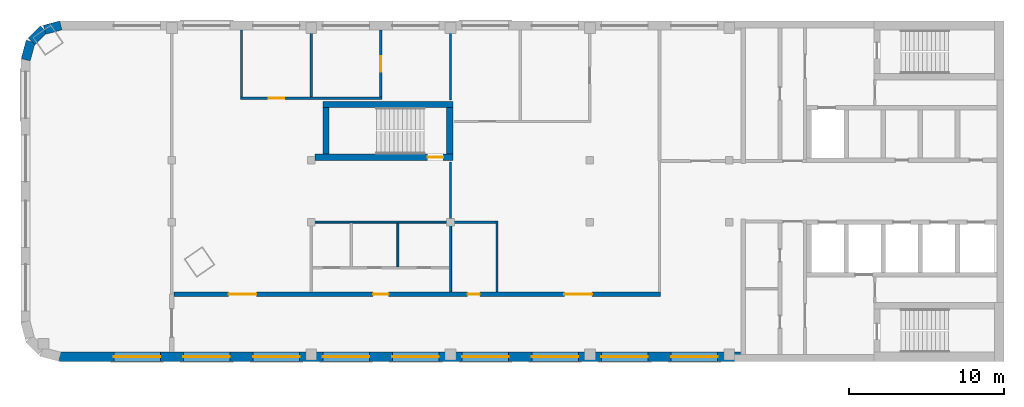
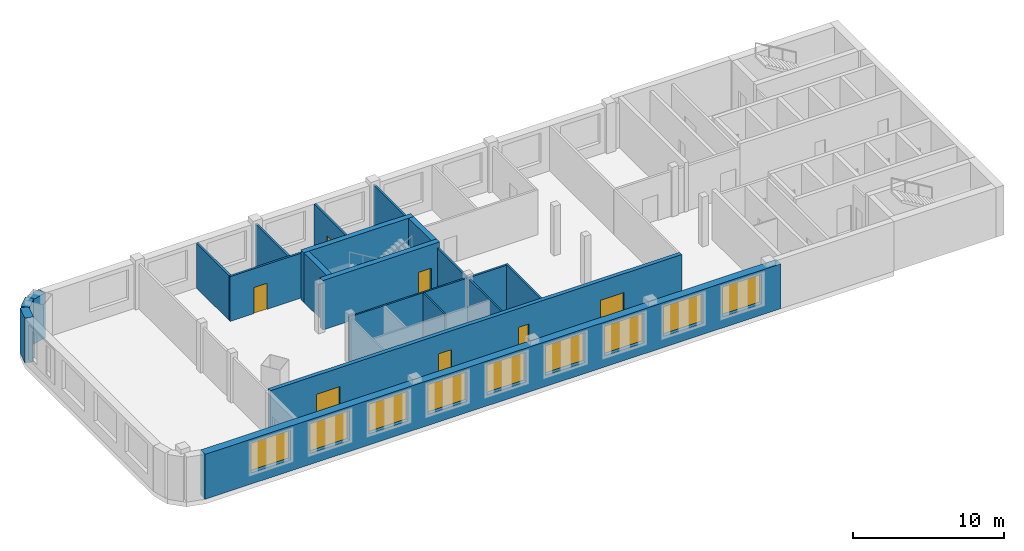
# One storey, part 2 of 5: 20 walls, 9 windows, 7 doors, 16 openings.
"""IFC4 building model written with IfcOpenShell, lengths in metres."""

from ifc_helpers import new_model, si_unit, direction, frame, frame_2d, origin, place, context, subcontext, project, spatial, rectangle, extrude, material, layer, layer_set, type_object, element, fill, save


model = new_model("IFC4")

# Units and contexts
model_context = context("Model", 3, precision=1e-05, world=origin(), true_north=direction((0.0, 1.0)))
body_context = subcontext(model_context, "Body", "Model", "MODEL_VIEW")
ifc_project = project(units=[si_unit("LENGTHUNIT", "METRE"), si_unit("AREAUNIT", "SQUARE_METRE"), si_unit("VOLUMEUNIT", "CUBIC_METRE"), si_unit("PLANEANGLEUNIT", "RADIAN"), si_unit("MASSUNIT", "GRAM", prefix="KILO")], contexts=[model_context])

# Site, building, storey
site_placement = place(None, origin())
site = spatial("IfcSite", under=ifc_project, at=site_placement, CompositionType="ELEMENT")
building_placement = place(site_placement, origin())
building = spatial("IfcBuilding", under=site, at=building_placement, Name="Skarvind Civic Tower", CompositionType="ELEMENT")
storey_placement = place(building_placement, frame((0.0, 0.0, 257.5)))
storey = spatial("IfcBuildingStorey", under=building, at=storey_placement, Name="L61", CompositionType="ELEMENT", Elevation=257.5)

# Wall, openings, doors
ifc_material_1 = material(Name="Fire-rated gypsum board on steel studs", Category="steel")
ifc_layer_1 = layer(ifc_material_1, 0.300048828125)
ifc_layer_set_1 = layer_set([ifc_layer_1], Name="CORRIDOR WALL 300")
wall_type_1 = type_object("IfcWallType", Name="CORRIDOR WALL 300", PredefinedType="PARTITIONING", material=ifc_layer_set_1)
wall_1_placement = place(storey_placement, frame((54.39990234375, 121.35009765625, 0.0), z_axis=(0.0, 0.0, 1.0), x_axis=(1.0, 0.0, 0.0)))
wall_1 = element("IfcWall", 1, at=wall_1_placement, inside=storey, type_object=wall_type_1, Name="Partition 61.002", PredefinedType="PARTITIONING", context=body_context, shape_type="SweptSolid", body=[
    extrude(rectangle(XDim=31.425048828125, YDim=0.300048828125, at=frame_2d((15.71240234375, 0.0))), origin(), (0.0, 0.0, 1.0), 3.625),
])
opening_1_placement = place(wall_1_placement, frame((18.949951171875, 0.0, 0.0)))
opening_1 = element("IfcOpeningElement", 2, at=opening_1_placement, cuts=wall_1, Name="Opening L61-D002", PredefinedType="OPENING", context=body_context, shape_type="SweptSolid", body=[
    extrude(rectangle(XDim=0.800048828125, YDim=2.10009765625, at=frame_2d((0.39990234375, 1.050048828125))), frame((0.0, 0.159912109375, 0.0), z_axis=(0.0, -1.0, 0.0), x_axis=(1.0, 0.0, 0.0)), (0.0, 0.0, 1.0), 0.320068359375),
])
opening_2_placement = place(wall_1_placement, frame((25.199951171875, 0.0, 0.0)))
opening_2 = element("IfcOpeningElement", 3, at=opening_2_placement, cuts=wall_1, Name="Opening L61-D005", PredefinedType="OPENING", context=body_context, shape_type="SweptSolid", body=[
    extrude(rectangle(XDim=1.800048828125, YDim=2.10009765625, at=frame_2d((0.89990234375, 1.050048828125))), frame((0.0, 0.159912109375, 0.0), z_axis=(0.0, -1.0, 0.0), x_axis=(1.0, 0.0, 0.0)), (0.0, 0.0, 1.0), 0.320068359375),
])
opening_3_placement = place(wall_1_placement, frame((12.85009765625, 0.0, 0.0)))
opening_3 = element("IfcOpeningElement", 4, at=opening_3_placement, cuts=wall_1, Name="Opening L61-D006", PredefinedType="OPENING", context=body_context, shape_type="SweptSolid", body=[
    extrude(rectangle(XDim=1.0, YDim=2.10009765625, at=frame_2d((0.5, 1.050048828125))), frame((0.0, 0.159912109375, 0.0), z_axis=(0.0, -1.0, 0.0), x_axis=(1.0, 0.0, 0.0)), (0.0, 0.0, 1.0), 0.320068359375),
])
opening_4_placement = place(wall_1_placement, frame((3.514892578125, 0.0, 0.0)))
opening_4 = element("IfcOpeningElement", 5, at=opening_4_placement, cuts=wall_1, Name="Opening L61-D012", PredefinedType="OPENING", context=body_context, shape_type="SweptSolid", body=[
    extrude(rectangle(XDim=1.800048828125, YDim=2.10009765625, at=frame_2d((0.89990234375, 1.050048828125))), frame((0.0, 0.159912109375, 0.0), z_axis=(0.0, -1.0, 0.0), x_axis=(1.0, 0.0, 0.0)), (0.0, 0.0, 1.0), 0.320068359375),
])
ifc_material_2 = material(Name="Fire-rated timber door leaf", Category="wood")
door_type_1 = type_object("IfcDoorType", Name="FD1 1000x2100", OperationType="NOTDEFINED", PredefinedType="DOOR", material=ifc_material_2)
door_1_placement = place(opening_3_placement, origin())
door_1 = element("IfcDoor", 6, at=door_1_placement, inside=storey, type_object=door_type_1, Name="Door L61-D006", OperationType="SINGLE_SWING_LEFT", OverallHeight=2.10009765625, OverallWidth=1.0, PredefinedType="DOOR", context=body_context, shape_type="SweptSolid", body=[
    extrude(rectangle(XDim=1.0, YDim=2.10009765625, at=frame_2d((0.5, 1.050048828125))), frame((0.0, 0.02490234375, 0.0), z_axis=(0.0, -1.0, 0.0), x_axis=(1.0, 0.0, 0.0)), (0.0, 0.0, 1.0), 0.050048828125),
])
fill(opening_3, door_1)
door_type_2 = type_object("IfcDoorType", Name="FD4 1800x2100", OperationType="NOTDEFINED", PredefinedType="DOOR", material=ifc_material_2)
door_2_placement = place(opening_2_placement, origin())
door_2 = element("IfcDoor", 7, at=door_2_placement, inside=storey, type_object=door_type_2, Name="Door L61-D005", OperationType="DOUBLE_DOOR_SINGLE_SWING", OverallHeight=2.10009765625, OverallWidth=1.800048828125, PredefinedType="DOOR", context=body_context, shape_type="SweptSolid", body=[
    extrude(rectangle(XDim=1.800048828125, YDim=2.10009765625, at=frame_2d((0.89990234375, 1.050048828125))), frame((0.0, 0.02490234375, 0.0), z_axis=(0.0, -1.0, 0.0), x_axis=(1.0, 0.0, 0.0)), (0.0, 0.0, 1.0), 0.050048828125),
])
fill(opening_2, door_2)
door_3_placement = place(opening_4_placement, origin())
door_3 = element("IfcDoor", 8, at=door_3_placement, inside=storey, type_object=door_type_2, Name="Door L61-D012", OperationType="DOUBLE_DOOR_SINGLE_SWING", OverallHeight=2.10009765625, OverallWidth=1.800048828125, PredefinedType="DOOR", context=body_context, shape_type="SweptSolid", body=[
    extrude(rectangle(XDim=1.800048828125, YDim=2.10009765625, at=frame_2d((0.89990234375, 1.050048828125))), frame((0.0, 0.02490234375, 0.0), z_axis=(0.0, -1.0, 0.0), x_axis=(1.0, 0.0, 0.0)), (0.0, 0.0, 1.0), 0.050048828125),
])
fill(opening_4, door_3)
door_type_3 = type_object("IfcDoorType", Name="FD5 800x2100", OperationType="NOTDEFINED", PredefinedType="DOOR", material=ifc_material_2)
door_4_placement = place(opening_1_placement, origin())
door_4 = element("IfcDoor", 9, at=door_4_placement, inside=storey, type_object=door_type_3, Name="Door L61-D002", OperationType="SINGLE_SWING_LEFT", OverallHeight=2.10009765625, OverallWidth=0.800048828125, PredefinedType="DOOR", context=body_context, shape_type="SweptSolid", body=[
    extrude(rectangle(XDim=0.800048828125, YDim=2.10009765625, at=frame_2d((0.39990234375, 1.050048828125))), frame((0.0, 0.02490234375, 0.0), z_axis=(0.0, -1.0, 0.0), x_axis=(1.0, 0.0, 0.0)), (0.0, 0.0, 1.0), 0.050048828125),
])
fill(opening_1, door_4)

# Wall, opening, door
ifc_material_3 = material(Name="Concrete C60", Category="concrete")
ifc_layer_2 = layer(ifc_material_3, 0.39990234375)
ifc_layer_set_2 = layer_set([ifc_layer_2], Name="Core wall 400 C60")
wall_type_2 = type_object("IfcWallType", Name="Core wall 400 C60", PredefinedType="SHEAR", material=ifc_layer_set_2)
wall_2_placement = place(storey_placement, frame((63.5, 130.199951171875, 0.0), z_axis=(0.0, 0.0, 1.0), x_axis=(1.0, 0.0, 0.0)))
wall_2 = element("IfcWall", 10, at=wall_2_placement, inside=storey, type_object=wall_type_2, Name="Core wall CM inner L61", PredefinedType="SHEAR", context=body_context, shape_type="SweptSolid", body=[
    extrude(rectangle(XDim=8.89990234375, YDim=0.39990234375, at=frame_2d((4.449951171875, 0.0))), origin(), (0.0, 0.0, 1.0), 4.0),
])
opening_5_placement = place(wall_2_placement, frame((7.27490234375, 0.0, 0.0)))
opening_5 = element("IfcOpeningElement", 11, at=opening_5_placement, cuts=wall_2, Name="Opening D-L61-CM-01", PredefinedType="OPENING", context=body_context, shape_type="SweptSolid", body=[
    extrude(rectangle(XDim=1.0, YDim=2.10009765625, at=frame_2d((0.5, 1.050048828125))), frame((0.0, 0.2099609375, 0.0), z_axis=(0.0, -1.0, 0.0), x_axis=(1.0, 0.0, 0.0)), (0.0, 0.0, 1.0), 0.419921875),
])
ifc_material_4 = material(Name="Fire-rated steel door", Category="steel")
door_type_4 = type_object("IfcDoorType", Name="Fire door 1000", OperationType="NOTDEFINED", PredefinedType="DOOR", material=ifc_material_4)
door_5_placement = place(opening_5_placement, origin())
door_5 = element("IfcDoor", 12, at=door_5_placement, inside=storey, type_object=door_type_4, Name="Fire door", OperationType="SINGLE_SWING_LEFT", OverallHeight=2.10009765625, OverallWidth=1.0, PredefinedType="DOOR", context=body_context, shape_type="SweptSolid", body=[
    extrude(rectangle(XDim=1.0, YDim=2.10009765625, at=frame_2d((0.5, 1.050048828125))), frame((0.0, 0.02490234375, 0.0), z_axis=(0.0, -1.0, 0.0), x_axis=(1.0, 0.0, 0.0)), (0.0, 0.0, 1.0), 0.050048828125),
])
fill(opening_5, door_5)

# Walls
wall_3_placement = place(storey_placement, frame((64.0, 133.60009765625, 0.0), z_axis=(0.0, 0.0, 1.0), x_axis=(1.0, 0.0, 0.0)))
element("IfcWall", 13, at=wall_3_placement, inside=storey, type_object=wall_type_2, Name="Core wall CM outer L61", PredefinedType="SHEAR", context=body_context, shape_type="SweptSolid", body=[
    extrude(rectangle(XDim=8.39990234375, YDim=0.39990234375, at=frame_2d((4.199951171875, 0.0))), origin(), (0.0, 0.0, 1.0), 4.0),
])
for number, where, z_axis, x_axis, name in (
    (14, (64.199951171875, 130.39990234375, 0.0), (0.0, 0.0, 1.0), (0.0, 1.0, 0.0), "Core wall CM west L61"),
    (15, (72.199951171875, 130.39990234375, 0.0), (0.0, 0.0, 1.0), (0.0, 1.0, 0.0), "Core wall CM end L61"),
):
    element("IfcWall", number, at=place(storey_placement, frame(where, z_axis=z_axis, x_axis=x_axis)), inside=storey, type_object=wall_type_2, Name=name, PredefinedType="SHEAR", context=body_context, shape_type="SweptSolid", body=[
        extrude(rectangle(XDim=3.0, YDim=0.39990234375, at=frame_2d((1.5, 0.0))), origin(), (0.0, 0.0, 1.0), 4.0),
    ])
ifc_material_5 = material(Name="Plasterboard partition on steel studs", Category="steel")
ifc_layer_3 = layer(ifc_material_5, 0.14990234375)
ifc_layer_set_3 = layer_set([ifc_layer_3], Name="PARTITION 150")
wall_type_3 = type_object("IfcWallType", Name="PARTITION 150", PredefinedType="PARTITIONING", material=ifc_layer_set_3)
wall_4_placement = place(storey_placement, frame((58.75, 134.074951171875, 0.0), z_axis=(0.0, 0.0, 1.0), x_axis=(0.0, 1.0, 0.0)))
element("IfcWall", 16, at=wall_4_placement, inside=storey, type_object=wall_type_3, Name="Partition 61.004", PredefinedType="PARTITIONING", context=body_context, shape_type="SweptSolid", body=[
    extrude(rectangle(XDim=4.324951171875, YDim=0.14990234375, at=frame_2d((2.16259765625, 0.0))), origin(), (0.0, 0.0, 1.0), 3.625),
])

# Wall, opening, door
wall_5_placement = place(storey_placement, frame((67.824951171875, 134.0, 0.0), z_axis=(0.0, 0.0, 1.0), x_axis=(-1.0, 0.0, 0.0)))
wall_5 = element("IfcWall", 17, at=wall_5_placement, inside=storey, type_object=wall_type_3, Name="Partition 61.005", PredefinedType="PARTITIONING", context=body_context, shape_type="SweptSolid", body=[
    extrude(rectangle(XDim=9.14990234375, YDim=0.14990234375, at=frame_2d((4.574951171875, 0.0))), origin(), (0.0, 0.0, 1.0), 3.625),
])
opening_6_placement = place(wall_5_placement, frame((6.324951171875, 0.0, 0.0)))
opening_6 = element("IfcOpeningElement", 18, at=opening_6_placement, cuts=wall_5, Name="Opening L61-D011", PredefinedType="OPENING", context=body_context, shape_type="SweptSolid", body=[
    extrude(rectangle(XDim=1.0, YDim=2.10009765625, at=frame_2d((0.5, 1.050048828125))), frame((0.0, 0.0849609375, 0.0), z_axis=(0.0, -1.0, 0.0), x_axis=(1.0, 0.0, 0.0)), (0.0, 0.0, 1.0), 0.169921875),
])
ifc_material_6 = material(Name="Timber door leaf", Category="wood")
door_type_5 = type_object("IfcDoorType", Name="D1 1000x2100", OperationType="NOTDEFINED", PredefinedType="DOOR", material=ifc_material_6)
door_6_placement = place(opening_6_placement, origin())
door_6 = element("IfcDoor", 19, at=door_6_placement, inside=storey, type_object=door_type_5, Name="Door L61-D011", OperationType="SINGLE_SWING_RIGHT", OverallHeight=2.10009765625, OverallWidth=1.0, PredefinedType="DOOR", context=body_context, shape_type="SweptSolid", body=[
    extrude(rectangle(XDim=1.0, YDim=2.10009765625, at=frame_2d((0.5, 1.050048828125))), frame((0.0, 0.02490234375, 0.0), z_axis=(0.0, -1.0, 0.0), x_axis=(1.0, 0.0, 0.0)), (0.0, 0.0, 1.0), 0.050048828125),
])
fill(opening_6, door_6)

# Wall
wall_6_placement = place(storey_placement, frame((63.25, 134.074951171875, 0.0), z_axis=(0.0, 0.0, 1.0), x_axis=(0.0, 1.0, 0.0)))
element("IfcWall", 20, at=wall_6_placement, inside=storey, type_object=wall_type_3, Name="Partition 61.009", PredefinedType="PARTITIONING", context=body_context, shape_type="SweptSolid", body=[
    extrude(rectangle(XDim=4.324951171875, YDim=0.14990234375, at=frame_2d((2.16259765625, 0.0))), origin(), (0.0, 0.0, 1.0), 3.625),
])

# Wall, opening, door
wall_7_placement = place(storey_placement, frame((67.75, 138.39990234375, 0.0), z_axis=(0.0, 0.0, 1.0), x_axis=(0.0, -1.0, 0.0)))
wall_7 = element("IfcWall", 21, at=wall_7_placement, inside=storey, type_object=wall_type_3, Name="Partition 61.011", PredefinedType="PARTITIONING", context=body_context, shape_type="SweptSolid", body=[
    extrude(rectangle(XDim=4.324951171875, YDim=0.14990234375, at=frame_2d((2.16259765625, 0.0))), origin(), (0.0, 0.0, 1.0), 3.625),
])
opening_7_placement = place(wall_7_placement, frame((1.672607421875, 0.0, 0.0)))
opening_7 = element("IfcOpeningElement", 22, at=opening_7_placement, cuts=wall_7, Name="Opening L61-D010", PredefinedType="OPENING", context=body_context, shape_type="SweptSolid", body=[
    extrude(rectangle(XDim=1.0, YDim=2.10009765625, at=frame_2d((0.5, 1.050048828125))), frame((0.0, 0.0849609375, 0.0), z_axis=(0.0, -1.0, 0.0), x_axis=(1.0, 0.0, 0.0)), (0.0, 0.0, 1.0), 0.169921875),
])
door_7_placement = place(opening_7_placement, origin())
door_7 = element("IfcDoor", 23, at=door_7_placement, inside=storey, type_object=door_type_5, Name="Door L61-D010", OperationType="SINGLE_SWING_LEFT", OverallHeight=2.10009765625, OverallWidth=1.0, PredefinedType="DOOR", context=body_context, shape_type="SweptSolid", body=[
    extrude(rectangle(XDim=1.0, YDim=2.10009765625, at=frame_2d((0.5, 1.050048828125))), frame((0.0, 0.02490234375, 0.0), z_axis=(0.0, -1.0, 0.0), x_axis=(1.0, 0.0, 0.0)), (0.0, 0.0, 1.0), 0.050048828125),
])
fill(opening_7, door_7)

# Walls
wall_8_placement = place(storey_placement, frame((72.25, 126.0, 0.0), z_axis=(0.0, 0.0, 1.0), x_axis=(0.0, 1.0, 0.0)))
element("IfcWall", 24, at=wall_8_placement, inside=storey, type_object=wall_type_3, Name="Partition 61.014", PredefinedType="PARTITIONING", context=body_context, shape_type="SweptSolid", body=[
    extrude(rectangle(XDim=3.89990234375, YDim=0.14990234375, at=frame_2d((1.949951171875, 0.0))), origin(), (0.0, 0.0, 1.0), 3.625),
])
wall_9_placement = place(storey_placement, frame((72.25, 133.89990234375, 0.0), z_axis=(0.0, 0.0, 1.0), x_axis=(0.0, 1.0, 0.0)))
element("IfcWall", 25, at=wall_9_placement, inside=storey, type_object=wall_type_3, Name="Partition 61.015", PredefinedType="PARTITIONING", context=body_context, shape_type="SweptSolid", body=[
    extrude(rectangle(XDim=4.5, YDim=0.14990234375, at=frame_2d((2.25, 0.0))), origin(), (0.0, 0.0, 1.0), 3.625),
])
wall_10_placement = place(storey_placement, frame((75.25, 121.5, 0.0), z_axis=(0.0, 0.0, 1.0), x_axis=(0.0, 1.0, 0.0)))
element("IfcWall", 26, at=wall_10_placement, inside=storey, type_object=wall_type_3, Name="Partition 61.017", PredefinedType="PARTITIONING", context=body_context, shape_type="SweptSolid", body=[
    extrude(rectangle(XDim=4.574951171875, YDim=0.14990234375, at=frame_2d((2.28759765625, 0.0))), origin(), (0.0, 0.0, 1.0), 3.625),
])
wall_11_placement = place(storey_placement, frame((75.175048828125, 126.0, 0.0), z_axis=(0.0, 0.0, 1.0), x_axis=(-1.0, 0.0, 0.0)))
element("IfcWall", 27, at=wall_11_placement, inside=storey, type_object=wall_type_3, Name="Partition 61.018", PredefinedType="PARTITIONING", context=body_context, shape_type="SweptSolid", body=[
    extrude(rectangle(XDim=2.925048828125, YDim=0.14990234375, at=frame_2d((1.46240234375, 0.0))), origin(), (0.0, 0.0, 1.0), 3.625),
])
ifc_material_7 = material(Name="Moisture-resistant gypsum board on steel studs", Category="steel")
ifc_layer_4 = layer(ifc_material_7, 0.125)
ifc_layer_set_4 = layer_set([ifc_layer_4], Name="WC PARTITION 125")
wall_type_4 = type_object("IfcWallType", Name="WC PARTITION 125", PredefinedType="PARTITIONING", material=ifc_layer_set_4)
wall_12_placement = place(storey_placement, frame((63.18798828125, 126.0, 0.0), z_axis=(0.0, 0.0, 1.0), x_axis=(1.0, 0.0, 0.0)))
element("IfcWall", 28, at=wall_12_placement, inside=storey, type_object=wall_type_4, Name="Partition 61.008", PredefinedType="PARTITIONING", context=body_context, shape_type="SweptSolid", body=[
    extrude(rectangle(XDim=9.06201171875, YDim=0.125, at=frame_2d((4.531005859375, 0.0))), origin(), (0.0, 0.0, 1.0), 3.625),
])
wall_13_placement = place(storey_placement, frame((68.85009765625, 125.93798828125, 0.0), z_axis=(0.0, 0.0, 1.0), x_axis=(0.0, -1.0, 0.0)))
element("IfcWall", 29, at=wall_13_placement, inside=storey, type_object=wall_type_4, Name="Partition 61.012", PredefinedType="PARTITIONING", context=body_context, shape_type="SweptSolid", body=[
    extrude(rectangle(XDim=2.825927734375, YDim=0.125, at=frame_2d((1.4130859375, 0.0))), origin(), (0.0, 0.0, 1.0), 3.625),
])
wall_14_placement = place(storey_placement, frame((72.25, 126.0, 0.0), z_axis=(0.0, 0.0, 1.0), x_axis=(0.0, -1.0, 0.0)))
element("IfcWall", 30, at=wall_14_placement, inside=storey, type_object=wall_type_4, Name="Partition 61.013", PredefinedType="PARTITIONING", context=body_context, shape_type="SweptSolid", body=[
    extrude(rectangle(XDim=4.5, YDim=0.125, at=frame_2d((2.25, 0.0))), origin(), (0.0, 0.0, 1.0), 3.625),
])
ifc_material_8 = material(Name="Standing-seam zinc cladding on insulated backing")
ifc_layer_5 = layer(ifc_material_8, 0.60009765625)
ifc_layer_set_5 = layer_set([ifc_layer_5], Name="WX2 ZINC-CLAD FACADE WALL 600")
wall_type_5 = type_object("IfcWallType", Name="WX2 ZINC-CLAD FACADE WALL 600", PredefinedType="SOLIDWALL", material=ifc_layer_set_5)
wall_15_placement = place(storey_placement, frame((46.030517578125, 138.4296875, 0.0), z_axis=(0.0, 0.0, 1.0), x_axis=(0.965939004864, 0.25876985698, 0.0)))
element("IfcWall", 31, at=wall_15_placement, inside=storey, type_object=wall_type_5, Name="ZINC-CLAD FACADE WALL", PredefinedType="SOLIDWALL", context=body_context, shape_type="SweptSolid", body=[
    extrude(rectangle(XDim=1.083984375, YDim=0.60009765625, at=frame_2d((0.5419921875, 0.0))), origin(), (0.0, 0.0, 1.0), 3.625),
])
wall_16_placement = place(storey_placement, frame((45.195556640625, 137.686279296875, 0.0), z_axis=(0.0, 0.0, 1.0), x_axis=(0.707106781187, 0.707106781187, 0.0)))
element("IfcWall", 32, at=wall_16_placement, inside=storey, type_object=wall_type_5, Name="ZINC-CLAD FACADE WALL", PredefinedType="SOLIDWALL", context=body_context, shape_type="SweptSolid", body=[
    extrude(rectangle(XDim=1.084228515625, YDim=0.60009765625, at=frame_2d((0.5419921875, 0.0))), origin(), (0.0, 0.0, 1.0), 3.625),
])
wall_17_placement = place(storey_placement, frame((44.807861328125, 136.489990234375, 0.0), z_axis=(0.0, 0.0, 1.0), x_axis=(0.258878975098, 0.965909766102, 0.0)))
element("IfcWall", 33, at=wall_17_placement, inside=storey, type_object=wall_type_5, Name="ZINC-CLAD FACADE WALL", PredefinedType="SOLIDWALL", context=body_context, shape_type="SweptSolid", body=[
    extrude(rectangle(XDim=1.22412109375, YDim=0.60009765625, at=frame_2d((0.612060546875, 0.0))), origin(), (0.0, 0.0, 1.0), 3.625),
])

# Wall, openings, windows
wall_18_placement = place(storey_placement, frame((90.97998046875, 117.300048828125, 0.0), z_axis=(0.0, 0.0, 1.0), x_axis=(-1.0, 0.0, 0.0)))
wall_18 = element("IfcWall", 34, at=wall_18_placement, inside=storey, type_object=wall_type_5, Name="ZINC-CLAD FACADE WALL", PredefinedType="SOLIDWALL", context=body_context, shape_type="SweptSolid", body=[
    extrude(rectangle(XDim=43.97998046875, YDim=0.60009765625, at=frame_2d((21.989990234375, 0.0))), origin(), (0.0, 0.0, 1.0), 3.625),
])
opening_8_placement = place(wall_18_placement, frame((1.47998046875, 0.0, 0.89990234375)))
opening_8 = element("IfcOpeningElement", 35, at=opening_8_placement, cuts=wall_18, Name="Opening WN4", PredefinedType="OPENING", context=body_context, shape_type="SweptSolid", body=[
    extrude(rectangle(XDim=3.0, YDim=2.39990234375, at=frame_2d((1.5, 1.199951171875))), frame((0.0, 0.31005859375, 0.0), z_axis=(0.0, -1.0, 0.0), x_axis=(1.0, 0.0, 0.0)), (0.0, 0.0, 1.0), 0.6201171875),
])
opening_9_placement = place(wall_18_placement, frame((5.97998046875, 0.0, 0.89990234375)))
opening_9 = element("IfcOpeningElement", 36, at=opening_9_placement, cuts=wall_18, Name="Opening WN4", PredefinedType="OPENING", context=body_context, shape_type="SweptSolid", body=[
    extrude(rectangle(XDim=3.0, YDim=2.39990234375, at=frame_2d((1.5, 1.199951171875))), frame((0.0, 0.31005859375, 0.0), z_axis=(0.0, -1.0, 0.0), x_axis=(1.0, 0.0, 0.0)), (0.0, 0.0, 1.0), 0.6201171875),
])
opening_10_placement = place(wall_18_placement, frame((10.47998046875, 0.0, 0.89990234375)))
opening_10 = element("IfcOpeningElement", 37, at=opening_10_placement, cuts=wall_18, Name="Opening WN4", PredefinedType="OPENING", context=body_context, shape_type="SweptSolid", body=[
    extrude(rectangle(XDim=3.0, YDim=2.39990234375, at=frame_2d((1.5, 1.199951171875))), frame((0.0, 0.31005859375, 0.0), z_axis=(0.0, -1.0, 0.0), x_axis=(1.0, 0.0, 0.0)), (0.0, 0.0, 1.0), 0.6201171875),
])
opening_11_placement = place(wall_18_placement, frame((14.97998046875, 0.0, 0.89990234375)))
opening_11 = element("IfcOpeningElement", 38, at=opening_11_placement, cuts=wall_18, Name="Opening WN4", PredefinedType="OPENING", context=body_context, shape_type="SweptSolid", body=[
    extrude(rectangle(XDim=3.0, YDim=2.39990234375, at=frame_2d((1.5, 1.199951171875))), frame((0.0, 0.31005859375, 0.0), z_axis=(0.0, -1.0, 0.0), x_axis=(1.0, 0.0, 0.0)), (0.0, 0.0, 1.0), 0.6201171875),
])
opening_12_placement = place(wall_18_placement, frame((19.47998046875, 0.0, 0.89990234375)))
opening_12 = element("IfcOpeningElement", 39, at=opening_12_placement, cuts=wall_18, Name="Opening WN4", PredefinedType="OPENING", context=body_context, shape_type="SweptSolid", body=[
    extrude(rectangle(XDim=3.0, YDim=2.39990234375, at=frame_2d((1.5, 1.199951171875))), frame((0.0, 0.31005859375, 0.0), z_axis=(0.0, -1.0, 0.0), x_axis=(1.0, 0.0, 0.0)), (0.0, 0.0, 1.0), 0.6201171875),
])
opening_13_placement = place(wall_18_placement, frame((23.97998046875, 0.0, 0.89990234375)))
opening_13 = element("IfcOpeningElement", 40, at=opening_13_placement, cuts=wall_18, Name="Opening WN4", PredefinedType="OPENING", context=body_context, shape_type="SweptSolid", body=[
    extrude(rectangle(XDim=3.0, YDim=2.39990234375, at=frame_2d((1.5, 1.199951171875))), frame((0.0, 0.31005859375, 0.0), z_axis=(0.0, -1.0, 0.0), x_axis=(1.0, 0.0, 0.0)), (0.0, 0.0, 1.0), 0.6201171875),
])
opening_14_placement = place(wall_18_placement, frame((28.47998046875, 0.0, 0.89990234375)))
opening_14 = element("IfcOpeningElement", 41, at=opening_14_placement, cuts=wall_18, Name="Opening WN4", PredefinedType="OPENING", context=body_context, shape_type="SweptSolid", body=[
    extrude(rectangle(XDim=3.0, YDim=2.39990234375, at=frame_2d((1.5, 1.199951171875))), frame((0.0, 0.31005859375, 0.0), z_axis=(0.0, -1.0, 0.0), x_axis=(1.0, 0.0, 0.0)), (0.0, 0.0, 1.0), 0.6201171875),
])
opening_15_placement = place(wall_18_placement, frame((32.97998046875, 0.0, 0.89990234375)))
opening_15 = element("IfcOpeningElement", 42, at=opening_15_placement, cuts=wall_18, Name="Opening WN4", PredefinedType="OPENING", context=body_context, shape_type="SweptSolid", body=[
    extrude(rectangle(XDim=3.0, YDim=2.39990234375, at=frame_2d((1.5, 1.199951171875))), frame((0.0, 0.31005859375, 0.0), z_axis=(0.0, -1.0, 0.0), x_axis=(1.0, 0.0, 0.0)), (0.0, 0.0, 1.0), 0.6201171875),
])
opening_16_placement = place(wall_18_placement, frame((37.47998046875, 0.0, 0.89990234375)))
opening_16 = element("IfcOpeningElement", 43, at=opening_16_placement, cuts=wall_18, Name="Opening WN4", PredefinedType="OPENING", context=body_context, shape_type="SweptSolid", body=[
    extrude(rectangle(XDim=3.0, YDim=2.39990234375, at=frame_2d((1.5, 1.199951171875))), frame((0.0, 0.31005859375, 0.0), z_axis=(0.0, -1.0, 0.0), x_axis=(1.0, 0.0, 0.0)), (0.0, 0.0, 1.0), 0.6201171875),
])
ifc_material_9 = material(Name="Timber frame, double glazing, copper-lined reveal", Category="wood")
window_type = type_object("IfcWindowType", Name="WN4 COPPER-LINED WINDOW 3000 x 2400", PartitioningType="SINGLE_PANEL", PredefinedType="WINDOW", material=ifc_material_9)
window_1_placement = place(opening_8_placement, origin())
window_1 = element("IfcWindow", 44, at=window_1_placement, inside=storey, type_object=window_type, Name="WN4 WINDOW", OverallHeight=2.39990234375, OverallWidth=3.0, PartitioningType="SINGLE_PANEL", PredefinedType="WINDOW", context=body_context, shape_type="SweptSolid", body=[
    extrude(rectangle(XDim=3.0, YDim=2.39990234375, at=frame_2d((1.5, 1.199951171875))), frame((0.0, 0.030029296875, 0.0), z_axis=(0.0, -1.0, 0.0), x_axis=(1.0, 0.0, 0.0)), (0.0, 0.0, 1.0), 0.06005859375),
])
fill(opening_8, window_1)
window_2_placement = place(opening_9_placement, origin())
window_2 = element("IfcWindow", 45, at=window_2_placement, inside=storey, type_object=window_type, Name="WN4 WINDOW", OverallHeight=2.39990234375, OverallWidth=3.0, PartitioningType="SINGLE_PANEL", PredefinedType="WINDOW", context=body_context, shape_type="SweptSolid", body=[
    extrude(rectangle(XDim=3.0, YDim=2.39990234375, at=frame_2d((1.5, 1.199951171875))), frame((0.0, 0.030029296875, 0.0), z_axis=(0.0, -1.0, 0.0), x_axis=(1.0, 0.0, 0.0)), (0.0, 0.0, 1.0), 0.06005859375),
])
fill(opening_9, window_2)
window_3_placement = place(opening_10_placement, origin())
window_3 = element("IfcWindow", 46, at=window_3_placement, inside=storey, type_object=window_type, Name="WN4 WINDOW", OverallHeight=2.39990234375, OverallWidth=3.0, PartitioningType="SINGLE_PANEL", PredefinedType="WINDOW", context=body_context, shape_type="SweptSolid", body=[
    extrude(rectangle(XDim=3.0, YDim=2.39990234375, at=frame_2d((1.5, 1.199951171875))), frame((0.0, 0.030029296875, 0.0), z_axis=(0.0, -1.0, 0.0), x_axis=(1.0, 0.0, 0.0)), (0.0, 0.0, 1.0), 0.06005859375),
])
fill(opening_10, window_3)
window_4_placement = place(opening_11_placement, origin())
window_4 = element("IfcWindow", 47, at=window_4_placement, inside=storey, type_object=window_type, Name="WN4 WINDOW", OverallHeight=2.39990234375, OverallWidth=3.0, PartitioningType="SINGLE_PANEL", PredefinedType="WINDOW", context=body_context, shape_type="SweptSolid", body=[
    extrude(rectangle(XDim=3.0, YDim=2.39990234375, at=frame_2d((1.5, 1.199951171875))), frame((0.0, 0.030029296875, 0.0), z_axis=(0.0, -1.0, 0.0), x_axis=(1.0, 0.0, 0.0)), (0.0, 0.0, 1.0), 0.06005859375),
])
fill(opening_11, window_4)
window_5_placement = place(opening_12_placement, origin())
window_5 = element("IfcWindow", 48, at=window_5_placement, inside=storey, type_object=window_type, Name="WN4 WINDOW", OverallHeight=2.39990234375, OverallWidth=3.0, PartitioningType="SINGLE_PANEL", PredefinedType="WINDOW", context=body_context, shape_type="SweptSolid", body=[
    extrude(rectangle(XDim=3.0, YDim=2.39990234375, at=frame_2d((1.5, 1.199951171875))), frame((0.0, 0.030029296875, 0.0), z_axis=(0.0, -1.0, 0.0), x_axis=(1.0, 0.0, 0.0)), (0.0, 0.0, 1.0), 0.06005859375),
])
fill(opening_12, window_5)
window_6_placement = place(opening_13_placement, origin())
window_6 = element("IfcWindow", 49, at=window_6_placement, inside=storey, type_object=window_type, Name="WN4 WINDOW", OverallHeight=2.39990234375, OverallWidth=3.0, PartitioningType="SINGLE_PANEL", PredefinedType="WINDOW", context=body_context, shape_type="SweptSolid", body=[
    extrude(rectangle(XDim=3.0, YDim=2.39990234375, at=frame_2d((1.5, 1.199951171875))), frame((0.0, 0.030029296875, 0.0), z_axis=(0.0, -1.0, 0.0), x_axis=(1.0, 0.0, 0.0)), (0.0, 0.0, 1.0), 0.06005859375),
])
fill(opening_13, window_6)
window_7_placement = place(opening_14_placement, origin())
window_7 = element("IfcWindow", 50, at=window_7_placement, inside=storey, type_object=window_type, Name="WN4 WINDOW", OverallHeight=2.39990234375, OverallWidth=3.0, PartitioningType="SINGLE_PANEL", PredefinedType="WINDOW", context=body_context, shape_type="SweptSolid", body=[
    extrude(rectangle(XDim=3.0, YDim=2.39990234375, at=frame_2d((1.5, 1.199951171875))), frame((0.0, 0.030029296875, 0.0), z_axis=(0.0, -1.0, 0.0), x_axis=(1.0, 0.0, 0.0)), (0.0, 0.0, 1.0), 0.06005859375),
])
fill(opening_14, window_7)
window_8_placement = place(opening_15_placement, origin())
window_8 = element("IfcWindow", 51, at=window_8_placement, inside=storey, type_object=window_type, Name="WN4 WINDOW", OverallHeight=2.39990234375, OverallWidth=3.0, PartitioningType="SINGLE_PANEL", PredefinedType="WINDOW", context=body_context, shape_type="SweptSolid", body=[
    extrude(rectangle(XDim=3.0, YDim=2.39990234375, at=frame_2d((1.5, 1.199951171875))), frame((0.0, 0.030029296875, 0.0), z_axis=(0.0, -1.0, 0.0), x_axis=(1.0, 0.0, 0.0)), (0.0, 0.0, 1.0), 0.06005859375),
])
fill(opening_15, window_8)
window_9_placement = place(opening_16_placement, origin())
window_9 = element("IfcWindow", 52, at=window_9_placement, inside=storey, type_object=window_type, Name="WN4 WINDOW", OverallHeight=2.39990234375, OverallWidth=3.0, PartitioningType="SINGLE_PANEL", PredefinedType="WINDOW", context=body_context, shape_type="SweptSolid", body=[
    extrude(rectangle(XDim=3.0, YDim=2.39990234375, at=frame_2d((1.5, 1.199951171875))), frame((0.0, 0.030029296875, 0.0), z_axis=(0.0, -1.0, 0.0), x_axis=(1.0, 0.0, 0.0)), (0.0, 0.0, 1.0), 0.06005859375),
])
fill(opening_16, window_9)

save(model, "model.ifc")
